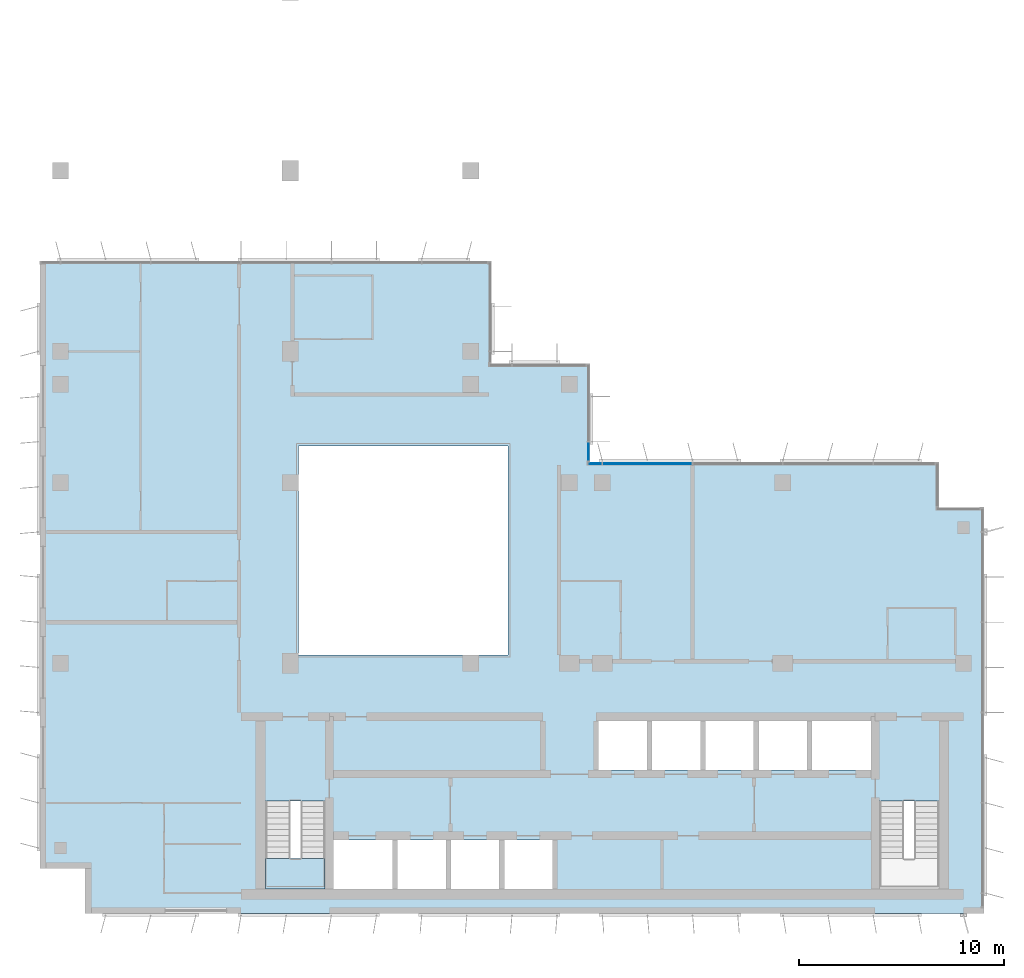
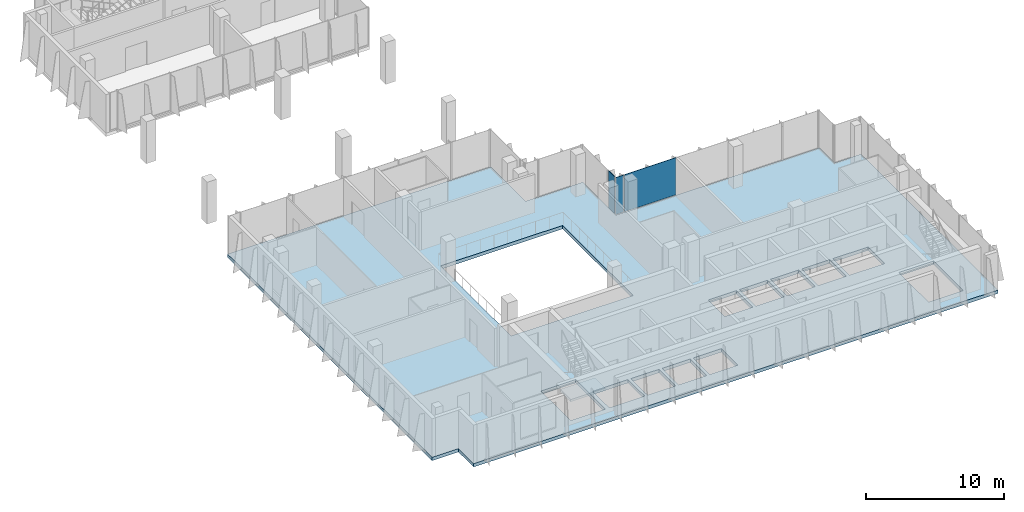
# One storey, part 6 of 14: 3 plates, 2 slabs, 3 elements without a shape of their own.
"""IFC4 building model written with IfcOpenShell, lengths in metres."""

from ifc_helpers import new_model, si_unit, direction, frame, origin, origin_2d, place, context, subcontext, project, spatial, polyline, rectangle, outline, extrude, source, transform, mapped, material, layer, layer_set, type_object, element, aggregate, save


model = new_model("IFC4")

# Units and contexts
model_context = context("Model", 3, precision=1e-05, world=origin(), true_north=direction((0.0, 1.0)))
body_context = subcontext(model_context, "Body", "Model", "MODEL_VIEW")
ifc_project = project(units=[si_unit("LENGTHUNIT", "METRE"), si_unit("AREAUNIT", "SQUARE_METRE"), si_unit("VOLUMEUNIT", "CUBIC_METRE"), si_unit("PLANEANGLEUNIT", "RADIAN"), si_unit("MASSUNIT", "GRAM", prefix="KILO")], contexts=[model_context])

# Site, building, storey
site_placement = place(None, origin())
site = spatial("IfcSite", under=ifc_project, at=site_placement, CompositionType="ELEMENT")
building_placement = place(site_placement, origin())
building = spatial("IfcBuilding", under=site, at=building_placement, Name="Kemantara Hotel Tower", CompositionType="ELEMENT")
storey_placement = place(building_placement, frame((0.0, 0.0, 248.699951171875)))
storey = spatial("IfcBuildingStorey", under=building, at=storey_placement, Name="L62", CompositionType="ELEMENT", Elevation=248.699951171875)

# Slab
ifc_material_1 = material(Name="Concrete fc 40 MPa", Category="concrete")
ifc_layer_1 = layer(ifc_material_1, 0.300048828125)
ifc_layer_set_1 = layer_set([ifc_layer_1], Name="Concrete fc 40 MPa")
slab_type_1 = type_object("IfcSlabType", Name="POST-TENSIONED FLAT PLATE 300", PredefinedType="FLOOR", material=ifc_layer_set_1)
slab_1_placement = place(storey_placement, frame((0.0, 0.0, -0.300048828125)))
element("IfcSlab", 1, at=slab_1_placement, inside=storey, type_object=slab_type_1, Name="FLOOR SLAB L62", PredefinedType="FLOOR", context=body_context, shape_type="SweptSolid", body=[
    extrude(outline(polyline([(26.800048828125, 22.0), (26.800048828125, 26.800048828125), (22.0, 26.800048828125), (22.0, 31.800048828125), (0.0, 31.800048828125), (0.0, 2.199951171875), (2.199951171875, 2.199951171875), (2.199951171875, 0.0), (46.0, 0.0), (46.0, 19.800048828125), (43.800048828125, 19.800048828125), (43.800048828125, 22.0), (26.800048828125, 22.0)]), holes=[polyline([(17.175048828125, 3.60009765625), (17.175048828125, 1.199951171875), (14.22509765625, 1.199951171875), (14.22509765625, 3.60009765625), (17.175048828125, 3.60009765625)]), polyline([(19.77490234375, 1.199951171875), (17.425048828125, 1.199951171875), (17.425048828125, 3.60009765625), (19.77490234375, 3.60009765625), (19.77490234375, 1.199951171875)]), polyline([(22.375, 1.199951171875), (20.02490234375, 1.199951171875), (20.02490234375, 3.60009765625), (22.375, 3.60009765625), (22.375, 1.199951171875)]), polyline([(24.97509765625, 3.60009765625), (24.97509765625, 1.199951171875), (22.625, 1.199951171875), (22.625, 3.60009765625), (24.97509765625, 3.60009765625)]), polyline([(11.0, 1.199951171875), (11.0, 5.49951171875), (13.89990234375, 5.49951171875), (13.89990234375, 1.199951171875), (11.0, 1.199951171875)]), polyline([(22.800048828125, 12.60009765625), (12.60009765625, 12.60009765625), (12.60009765625, 22.800048828125), (22.800048828125, 22.800048828125), (22.800048828125, 12.60009765625)]), polyline([(40.89990234375, 1.199951171875), (40.89990234375, 5.49951171875), (43.800048828125, 5.49951171875), (43.800048828125, 1.199951171875), (40.89990234375, 1.199951171875)]), polyline([(29.574951171875, 7.0), (27.22509765625, 7.0), (27.22509765625, 9.39990234375), (29.574951171875, 9.39990234375), (29.574951171875, 7.0)]), polyline([(32.175048828125, 7.0), (29.824951171875, 7.0), (29.824951171875, 9.39990234375), (32.175048828125, 9.39990234375), (32.175048828125, 7.0)]), polyline([(34.77490234375, 7.0), (32.425048828125, 7.0), (32.425048828125, 9.39990234375), (34.77490234375, 9.39990234375), (34.77490234375, 7.0)]), polyline([(37.375, 7.0), (35.02490234375, 7.0), (35.02490234375, 9.39990234375), (37.375, 9.39990234375), (37.375, 7.0)]), polyline([(40.574951171875, 7.0), (37.625, 7.0), (37.625, 9.39990234375), (40.574951171875, 9.39990234375), (40.574951171875, 7.0)])]), origin(), (0.0, 0.0, 1.0), 0.300048828125),
])

# Stair, slab
stair_type = type_object("IfcStairType", Name="Stair 1200 wide 22 risers of 168 x 280 mm", PredefinedType="HALF_TURN_STAIR", material=ifc_material_1)
stair_placement = place(storey_placement, origin())
stair = element("IfcStair", 2, at=stair_placement, inside=storey, type_object=stair_type, Name="L62 Exit stair ST1", PredefinedType="HALF_TURN_STAIR")
ifc_layer_2 = layer(ifc_material_1, 0.199951171875)
ifc_layer_set_2 = layer_set([ifc_layer_2], Name="Concrete fc 40 MPa")
slab_type_2 = type_object("IfcSlabType", Name="Stair landing 200 mm", PredefinedType="LANDING", material=ifc_layer_set_2)
slab_2_placement = place(storey_placement, frame((0.0, 0.0, 1.650146484375)))
slab_2 = element("IfcSlab", 3, at=slab_2_placement, type_object=slab_type_2, Name="ST1 landing 1", PredefinedType="LANDING", context=body_context, shape_type="SweptSolid", body=[
    extrude(outline(polyline([(11.0, 2.699951171875), (11.0, 1.199951171875), (13.89990234375, 1.199951171875), (13.89990234375, 2.699951171875), (11.0, 2.699951171875)])), origin(), (0.0, 0.0, 1.0), 0.199951171875),
])
aggregate(stair, [slab_2])

# Curtain wall, plates
ifc_material_2 = material(Name="Low-E tinted double insulated glass 36 mm", Category="glass")
curtain_wall_type = type_object("IfcCurtainWallType", Name="TOWER CURTAIN WALL, FRONT FACES", PredefinedType="USERDEFINED", material=ifc_material_2)
curtain_wall_1_placement = place(storey_placement, origin())
curtain_wall_1 = element("IfcCurtainWall", 4, at=curtain_wall_1_placement, inside=storey, type_object=curtain_wall_type, Name="CW4 L62 T4P-R09-1", ObjectType="TOWER CURTAIN WALL, FRONT FACES", PredefinedType="USERDEFINED")
ifc_layer_3 = layer(ifc_material_2, 0.035888671875)
ifc_layer_set_3 = layer_set([ifc_layer_3], Name="Low-E tinted double insulated glass 36 mm")
plate_type = type_object("IfcPlateType", Name="TOWER CURTAIN WALL, FRONT FACES PANEL", PredefinedType="CURTAIN_PANEL", material=ifc_layer_set_3)
shared_shape_1 = source(origin(), body_context, "Body", "SweptSolid", [
    extrude(rectangle(XDim=4.340087890625, YDim=0.035888671875, at=origin_2d()), origin(), (0.0, 0.0, 1.0), 3.280029296875),
])
plate_1_placement = place(storey_placement, frame((29.60009765625, 21.925048828125, 0.1201171875), z_axis=(0.0, 0.0, 1.0), x_axis=(-1.0, 0.0, 0.0)))
plate_1 = element("IfcPlate", 5, at=plate_1_placement, type_object=plate_type, Name="CW4 glass panel T4P-R09-1.4", PredefinedType="CURTAIN_PANEL", context=body_context, shape_type="MappedRepresentation", body=[
    mapped(shared_shape_1, transform((0.0, 0.0, 0.0))),
])
shared_shape_2 = source(origin(), body_context, "Body", "SweptSolid", [
    extrude(rectangle(XDim=0.659912109375, YDim=0.035888671875, at=origin_2d()), origin(), (0.0, 0.0, 1.0), 3.280029296875),
])
plate_2_placement = place(storey_placement, frame((27.0400390625, 21.925048828125, 0.1201171875), z_axis=(0.0, 0.0, 1.0), x_axis=(-1.0, 0.0, 0.0)))
plate_2 = element("IfcPlate", 6, at=plate_2_placement, type_object=plate_type, Name="CW4 glass panel T4P-R09-1.5", PredefinedType="CURTAIN_PANEL", context=body_context, shape_type="MappedRepresentation", body=[
    mapped(shared_shape_2, transform((0.0, 0.0, 0.0))),
])
aggregate(curtain_wall_1, [plate_1, plate_2])

# Curtain wall, plate
curtain_wall_2_placement = place(storey_placement, origin())
curtain_wall_2 = element("IfcCurtainWall", 7, at=curtain_wall_2_placement, inside=storey, type_object=curtain_wall_type, Name="CW4 L62 T4P-R10-1", ObjectType="TOWER CURTAIN WALL, FRONT FACES", PredefinedType="USERDEFINED")
shared_shape_3 = source(origin(), body_context, "Body", "SweptSolid", [
    extrude(rectangle(XDim=0.909912109375, YDim=0.035888671875, at=origin_2d()), origin(), (0.0, 0.0, 1.0), 3.280029296875),
])
plate_3_placement = place(storey_placement, frame((26.72509765625, 22.514892578125, 0.1201171875), z_axis=(0.0, 0.0, 1.0), x_axis=(0.0, 1.0, 0.0)))
plate_3 = element("IfcPlate", 8, at=plate_3_placement, type_object=plate_type, Name="CW4 glass panel T4P-R10-1.1", PredefinedType="CURTAIN_PANEL", context=body_context, shape_type="MappedRepresentation", body=[
    mapped(shared_shape_3, transform((0.0, 0.0, 0.0))),
])
aggregate(curtain_wall_2, [plate_3])

save(model, "model.ifc")
